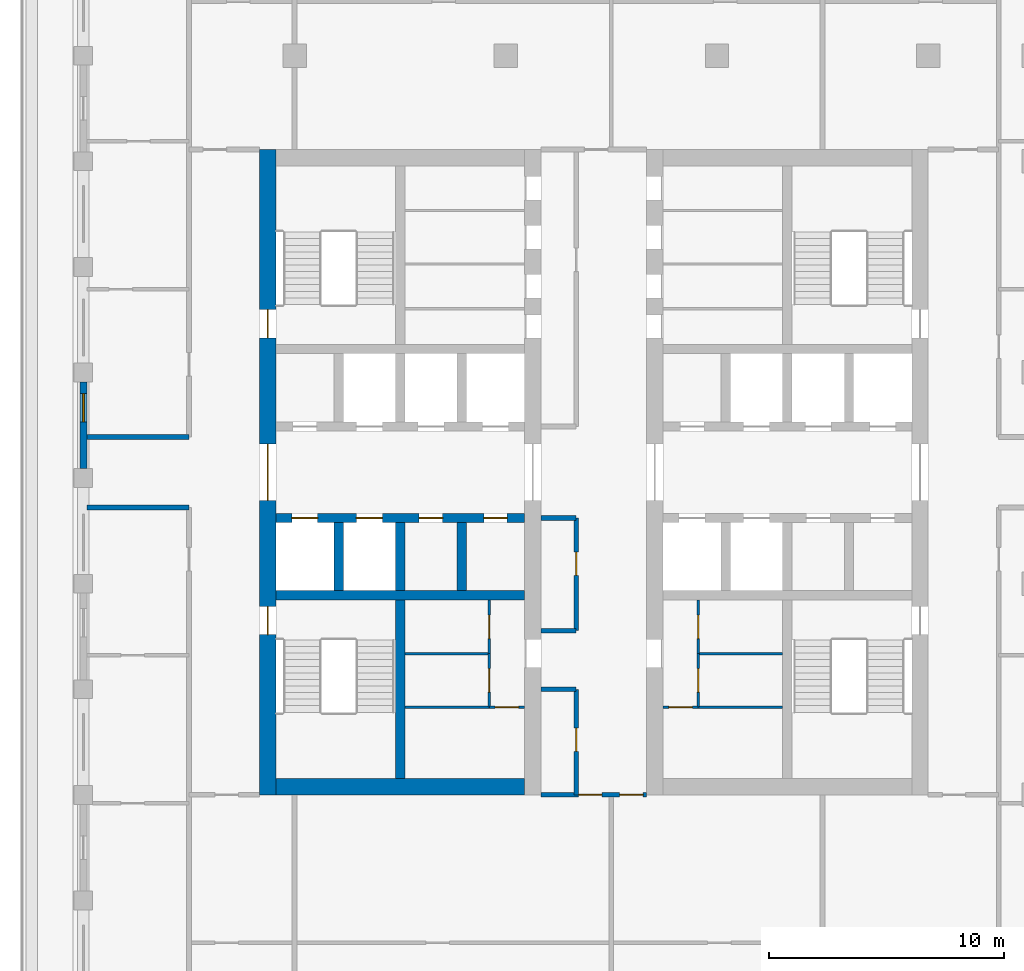
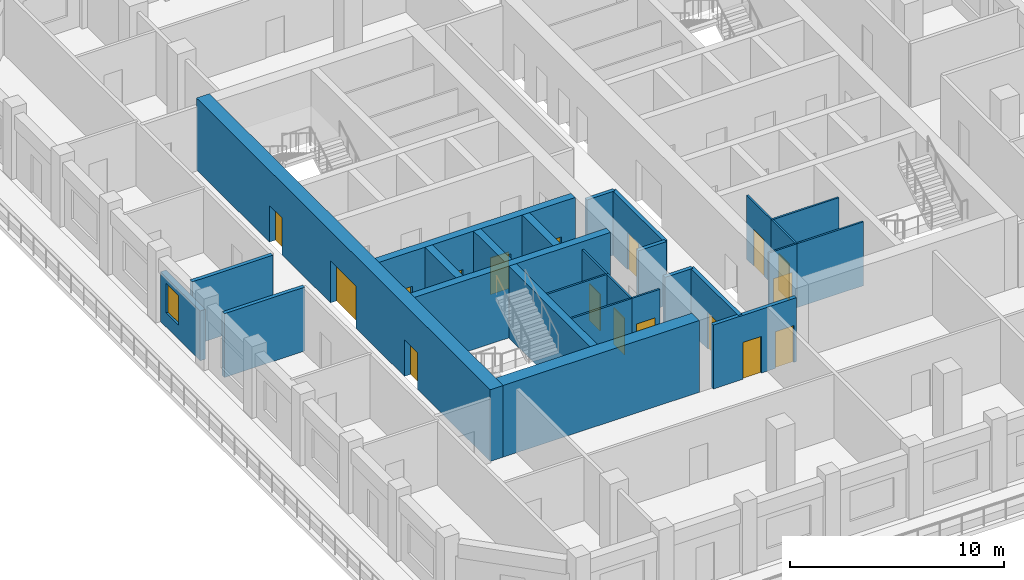
# One storey, part 3 of 17: 27 walls, 17 doors, 1 window, 18 openings.
"""IFC4 building model written with IfcOpenShell, lengths in metres."""

from ifc_helpers import new_model, si_unit, direction, frame, frame_2d, origin, place, context, subcontext, project, spatial, rectangle, extrude, material, layer, layer_set, type_object, element, fill, save


model = new_model("IFC4")

# Units and contexts
model_context = context("Model", 3, precision=1e-05, world=origin(), true_north=direction((0.0, 1.0)))
body_context = subcontext(model_context, "Body", "Model", "MODEL_VIEW")
ifc_project = project(units=[si_unit("LENGTHUNIT", "METRE"), si_unit("AREAUNIT", "SQUARE_METRE"), si_unit("VOLUMEUNIT", "CUBIC_METRE"), si_unit("PLANEANGLEUNIT", "RADIAN"), si_unit("MASSUNIT", "GRAM", prefix="KILO")], contexts=[model_context])

# Site, building, storey
site_placement = place(None, origin())
site = spatial("IfcSite", under=ifc_project, at=site_placement, CompositionType="ELEMENT")
building_placement = place(site_placement, origin())
building = spatial("IfcBuilding", under=site, at=building_placement, Name="Corbel Stack Research Tower", CompositionType="ELEMENT")
storey_placement = place(building_placement, frame((0.0, 0.0, 235.699951171875)))
storey = spatial("IfcBuildingStorey", under=building, at=storey_placement, Name="L53", CompositionType="ELEMENT", Elevation=235.699951171875)

# Wall
ifc_material_1 = material(Name="Concrete C60/75", Category="concrete")
ifc_layer_1 = layer(ifc_material_1, 0.39990234375)
ifc_layer_set_1 = layer_set([ifc_layer_1], Name="Concrete C60/75")
wall_type_1 = type_object("IfcWallType", Name="CW-400-60", PredefinedType="SHEAR", material=ifc_layer_set_1)
wall_1_placement = place(storey_placement, frame((-9.800048828125, -0.5, 0.0), z_axis=(0.0, 0.0, 1.0), x_axis=(1.0, 0.0, 0.0)))
element("IfcWall", 1, at=wall_1_placement, inside=storey, type_object=wall_type_1, Name="West core wall, south row back L53", PredefinedType="SHEAR", context=body_context, shape_type="SweptSolid", body=[
    extrude(rectangle(XDim=10.60009765625, YDim=0.39990234375, at=frame_2d((5.300048828125, 0.0))), origin(), (0.0, 0.0, 1.0), 4.10009765625),
])

# Wall, openings, doors
wall_2_placement = place(storey_placement, frame((-9.800048828125, 2.800048828125, 0.0), z_axis=(0.0, 0.0, 1.0), x_axis=(1.0, 0.0, 0.0)))
wall_2 = element("IfcWall", 2, at=wall_2_placement, inside=storey, type_object=wall_type_1, Name="West core wall, lobby south L53", PredefinedType="SHEAR", context=body_context, shape_type="SweptSolid", body=[
    extrude(rectangle(XDim=10.60009765625, YDim=0.39990234375, at=frame_2d((5.300048828125, 0.0))), origin(), (0.0, 0.0, 1.0), 4.10009765625),
])
opening_1_placement = place(wall_2_placement, frame((0.6875, 0.0, 0.0)))
opening_1 = element("IfcOpeningElement", 3, at=opening_1_placement, cuts=wall_2, Name="Opening LD-FS1", PredefinedType="OPENING", context=body_context, shape_type="SweptSolid", body=[
    extrude(rectangle(XDim=1.10009765625, YDim=2.10009765625, at=frame_2d((0.550048828125, 1.050048828125))), frame((0.0, 0.2099609375, 0.0), z_axis=(0.0, -1.0, 0.0), x_axis=(1.0, 0.0, 0.0)), (0.0, 0.0, 1.0), 0.419921875),
])
opening_2_placement = place(wall_2_placement, frame((3.4375, 0.0, 0.0)))
opening_2 = element("IfcOpeningElement", 4, at=opening_2_placement, cuts=wall_2, Name="Opening LD-GL1", PredefinedType="OPENING", context=body_context, shape_type="SweptSolid", body=[
    extrude(rectangle(XDim=1.10009765625, YDim=2.10009765625, at=frame_2d((0.550048828125, 1.050048828125))), frame((0.0, 0.2099609375, 0.0), z_axis=(0.0, -1.0, 0.0), x_axis=(1.0, 0.0, 0.0)), (0.0, 0.0, 1.0), 0.419921875),
])
opening_3_placement = place(wall_2_placement, frame((6.112548828125, 0.0, 0.0)))
opening_3 = element("IfcOpeningElement", 5, at=opening_3_placement, cuts=wall_2, Name="Opening CR-W66-S3", PredefinedType="OPENING", context=body_context, shape_type="SweptSolid", body=[
    extrude(rectangle(XDim=1.0, YDim=2.10009765625, at=frame_2d((0.5, 1.050048828125))), frame((0.0, 0.2099609375, 0.0), z_axis=(0.0, -1.0, 0.0), x_axis=(1.0, 0.0, 0.0)), (0.0, 0.0, 1.0), 0.419921875),
])
opening_4_placement = place(wall_2_placement, frame((8.862548828125, 0.0, 0.0)))
opening_4 = element("IfcOpeningElement", 6, at=opening_4_placement, cuts=wall_2, Name="Opening CR-W66-S4", PredefinedType="OPENING", context=body_context, shape_type="SweptSolid", body=[
    extrude(rectangle(XDim=1.0, YDim=2.10009765625, at=frame_2d((0.5, 1.050048828125))), frame((0.0, 0.2099609375, 0.0), z_axis=(0.0, -1.0, 0.0), x_axis=(1.0, 0.0, 0.0)), (0.0, 0.0, 1.0), 0.419921875),
])
ifc_material_2 = material(Name="Stainless steel landing door", Category="steel")
door_type_1 = type_object("IfcDoorType", Name="Lift landing door 1100 x 2100", OperationType="DOUBLE_DOOR_SLIDING", PredefinedType="DOOR", material=ifc_material_2)
door_1_placement = place(opening_1_placement, origin())
door_1 = element("IfcDoor", 7, at=door_1_placement, inside=storey, type_object=door_type_1, Name="Landing door FS1", OperationType="DOUBLE_DOOR_SLIDING", OverallHeight=2.10009765625, OverallWidth=1.10009765625, PredefinedType="DOOR", context=body_context, shape_type="SweptSolid", body=[
    extrude(rectangle(XDim=1.10009765625, YDim=2.10009765625, at=frame_2d((0.550048828125, 1.050048828125))), frame((0.0, 0.02490234375, 0.0), z_axis=(0.0, -1.0, 0.0), x_axis=(1.0, 0.0, 0.0)), (0.0, 0.0, 1.0), 0.050048828125),
])
fill(opening_1, door_1)
door_2_placement = place(opening_2_placement, origin())
door_2 = element("IfcDoor", 8, at=door_2_placement, inside=storey, type_object=door_type_1, Name="Landing door GL1", OperationType="DOUBLE_DOOR_SLIDING", OverallHeight=2.10009765625, OverallWidth=1.10009765625, PredefinedType="DOOR", context=body_context, shape_type="SweptSolid", body=[
    extrude(rectangle(XDim=1.10009765625, YDim=2.10009765625, at=frame_2d((0.550048828125, 1.050048828125))), frame((0.0, 0.02490234375, 0.0), z_axis=(0.0, -1.0, 0.0), x_axis=(1.0, 0.0, 0.0)), (0.0, 0.0, 1.0), 0.050048828125),
])
fill(opening_2, door_2)
ifc_material_3 = material(Name="Painted steel door", Category="steel")
door_type_2 = type_object("IfcDoorType", Name="Service door 1000 x 2100 FD60 left hand", OperationType="SINGLE_SWING_LEFT", PredefinedType="DOOR", material=ifc_material_3)
door_3_placement = place(opening_3_placement, origin())
door_3 = element("IfcDoor", 9, at=door_3_placement, inside=storey, type_object=door_type_2, Name="Cleaner's store door W core", OperationType="SINGLE_SWING_LEFT", OverallHeight=2.10009765625, OverallWidth=1.0, PredefinedType="DOOR", context=body_context, shape_type="SweptSolid", body=[
    extrude(rectangle(XDim=1.0, YDim=2.10009765625, at=frame_2d((0.5, 1.050048828125))), frame((0.0, 0.02490234375, 0.0), z_axis=(0.0, -1.0, 0.0), x_axis=(1.0, 0.0, 0.0)), (0.0, 0.0, 1.0), 0.050048828125),
])
fill(opening_3, door_3)
ifc_material_4 = material(Name="Painted steel door", Category="steel")
door_type_3 = type_object("IfcDoorType", Name="Service door 1000 x 2100 FD60 right hand", OperationType="SINGLE_SWING_RIGHT", PredefinedType="DOOR", material=ifc_material_4)
door_4_placement = place(opening_4_placement, origin())
door_4 = element("IfcDoor", 10, at=door_4_placement, inside=storey, type_object=door_type_3, Name="Vending bay door W core", OperationType="SINGLE_SWING_RIGHT", OverallHeight=2.10009765625, OverallWidth=1.0, PredefinedType="DOOR", context=body_context, shape_type="SweptSolid", body=[
    extrude(rectangle(XDim=1.0, YDim=2.10009765625, at=frame_2d((0.5, 1.050048828125))), frame((0.0, 0.02490234375, 0.0), z_axis=(0.0, -1.0, 0.0), x_axis=(1.0, 0.0, 0.0)), (0.0, 0.0, 1.0), 0.050048828125),
])
fill(opening_4, door_4)

# Walls
for number, where, z_axis, x_axis, name in (
    (11, (-7.125, -0.300048828125, 0.0), (0.0, 0.0, 1.0), (0.0, 1.0, 0.0), "West core wall, south shaft 1 L53"),
    (12, (-4.5, -0.300048828125, 0.0), (0.0, 0.0, 1.0), (0.0, 1.0, 0.0), "West core wall, south shaft 2 L53"),
    (13, (-1.875, -0.300048828125, 0.0), (0.0, 0.0, 1.0), (0.0, 1.0, 0.0), "West core wall, south shaft 3 L53"),
):
    element("IfcWall", number, at=place(storey_placement, frame(where, z_axis=z_axis, x_axis=x_axis)), inside=storey, type_object=wall_type_1, Name=name, PredefinedType="SHEAR", context=body_context, shape_type="SweptSolid", body=[
        extrude(rectangle(XDim=2.900146484375, YDim=0.39990234375, at=frame_2d((1.4501953125, 0.0))), origin(), (0.0, 0.0, 1.0), 4.10009765625),
    ])
wall_3_placement = place(storey_placement, frame((-4.5, -8.300048828125, 0.0), z_axis=(0.0, 0.0, 1.0), x_axis=(0.0, 1.0, 0.0)))
element("IfcWall", 14, at=wall_3_placement, inside=storey, type_object=wall_type_1, Name="West core wall, south stair and WC L53", PredefinedType="SHEAR", context=body_context, shape_type="SweptSolid", body=[
    extrude(rectangle(XDim=7.60009765625, YDim=0.39990234375, at=frame_2d((3.800048828125, 0.0))), origin(), (0.0, 0.0, 1.0), 4.10009765625),
])

# Wall, openings, doors
ifc_material_5 = material(Name="Concrete C60/75", Category="concrete")
ifc_layer_2 = layer(ifc_material_5, 0.699951171875)
ifc_layer_set_2 = layer_set([ifc_layer_2], Name="Concrete C60/75")
wall_type_2 = type_object("IfcWallType", Name="CW-700-60", PredefinedType="SHEAR", material=ifc_layer_set_2)
wall_4_placement = place(storey_placement, frame((-10.14990234375, -9.0, 0.0), z_axis=(0.0, 0.0, 1.0), x_axis=(0.0, 1.0, 0.0)))
wall_4 = element("IfcWall", 15, at=wall_4_placement, inside=storey, type_object=wall_type_2, Name="West core wall, west face L53", PredefinedType="SHEAR", context=body_context, shape_type="SweptSolid", body=[
    extrude(rectangle(XDim=27.5, YDim=0.699951171875, at=frame_2d((13.75, 0.0))), origin(), (0.0, 0.0, 1.0), 4.10009765625),
])
opening_5_placement = place(wall_4_placement, frame((12.550048828125, 0.0, 0.0)))
opening_5 = element("IfcOpeningElement", 16, at=opening_5_placement, cuts=wall_4, Name="Opening CD-W-W", PredefinedType="OPENING", context=body_context, shape_type="SweptSolid", body=[
    extrude(rectangle(XDim=2.39990234375, YDim=2.39990234375, at=frame_2d((1.199951171875, 1.199951171875))), frame((0.0, 0.35986328125, 0.0), z_axis=(0.0, -1.0, 0.0), x_axis=(1.0, 0.0, 0.0)), (0.0, 0.0, 1.0), 0.719970703125),
])
opening_6_placement = place(wall_4_placement, frame((6.824951171875, 0.0, 0.0)))
opening_6 = element("IfcOpeningElement", 17, at=opening_6_placement, cuts=wall_4, Name="Opening SD-ST-W1", PredefinedType="OPENING", context=body_context, shape_type="SweptSolid", body=[
    extrude(rectangle(XDim=1.199951171875, YDim=2.10009765625, at=frame_2d((0.60009765625, 1.050048828125))), frame((0.0, 0.35986328125, 0.0), z_axis=(0.0, -1.0, 0.0), x_axis=(1.0, 0.0, 0.0)), (0.0, 0.0, 1.0), 0.719970703125),
])
opening_7_placement = place(wall_4_placement, frame((19.47509765625, 0.0, 0.0)))
opening_7 = element("IfcOpeningElement", 18, at=opening_7_placement, cuts=wall_4, Name="Opening SD-ST-W2", PredefinedType="OPENING", context=body_context, shape_type="SweptSolid", body=[
    extrude(rectangle(XDim=1.199951171875, YDim=2.10009765625, at=frame_2d((0.60009765625, 1.050048828125))), frame((0.0, 0.35986328125, 0.0), z_axis=(0.0, -1.0, 0.0), x_axis=(1.0, 0.0, 0.0)), (0.0, 0.0, 1.0), 0.719970703125),
])
ifc_material_6 = material(Name="Painted steel fire door", Category="steel")
door_type_4 = type_object("IfcDoorType", Name="Lobby door pair 2400 x 2400 FD30S", OperationType="DOUBLE_DOOR_DOUBLE_SWING", PredefinedType="DOOR", material=ifc_material_6)
door_5_placement = place(opening_5_placement, origin())
door_5 = element("IfcDoor", 19, at=door_5_placement, inside=storey, type_object=door_type_4, Name="Lift lobby door W core W", OperationType="DOUBLE_DOOR_DOUBLE_SWING", OverallHeight=2.39990234375, OverallWidth=2.39990234375, PredefinedType="DOOR", context=body_context, shape_type="SweptSolid", body=[
    extrude(rectangle(XDim=2.39990234375, YDim=2.39990234375, at=frame_2d((1.199951171875, 1.199951171875))), frame((0.0, 0.02490234375, 0.0), z_axis=(0.0, -1.0, 0.0), x_axis=(1.0, 0.0, 0.0)), (0.0, 0.0, 1.0), 0.050048828125),
])
fill(opening_5, door_5)
ifc_material_7 = material(Name="Painted steel fire door", Category="steel")
door_type_5 = type_object("IfcDoorType", Name="Stair door 1200 x 2100 FD90 left hand", OperationType="SINGLE_SWING_LEFT", PredefinedType="DOOR", material=ifc_material_7)
door_6_placement = place(opening_6_placement, origin())
door_6 = element("IfcDoor", 20, at=door_6_placement, inside=storey, type_object=door_type_5, Name="Stair door ST-W1", OperationType="SINGLE_SWING_LEFT", OverallHeight=2.10009765625, OverallWidth=1.199951171875, PredefinedType="DOOR", context=body_context, shape_type="SweptSolid", body=[
    extrude(rectangle(XDim=1.199951171875, YDim=2.10009765625, at=frame_2d((0.60009765625, 1.050048828125))), frame((0.0, 0.02490234375, 0.0), z_axis=(0.0, -1.0, 0.0), x_axis=(1.0, 0.0, 0.0)), (0.0, 0.0, 1.0), 0.050048828125),
])
fill(opening_6, door_6)
door_7_placement = place(opening_7_placement, origin())
door_7 = element("IfcDoor", 21, at=door_7_placement, inside=storey, type_object=door_type_5, Name="Stair door ST-W2", OperationType="SINGLE_SWING_LEFT", OverallHeight=2.10009765625, OverallWidth=1.199951171875, PredefinedType="DOOR", context=body_context, shape_type="SweptSolid", body=[
    extrude(rectangle(XDim=1.199951171875, YDim=2.10009765625, at=frame_2d((0.60009765625, 1.050048828125))), frame((0.0, 0.02490234375, 0.0), z_axis=(0.0, -1.0, 0.0), x_axis=(1.0, 0.0, 0.0)), (0.0, 0.0, 1.0), 0.050048828125),
])
fill(opening_7, door_7)

# Wall
wall_5_placement = place(storey_placement, frame((-9.800048828125, -8.64990234375, 0.0), z_axis=(0.0, 0.0, 1.0), x_axis=(1.0, 0.0, 0.0)))
element("IfcWall", 22, at=wall_5_placement, inside=storey, type_object=wall_type_2, Name="West core wall, south end L53", PredefinedType="SHEAR", context=body_context, shape_type="SweptSolid", body=[
    extrude(rectangle(XDim=10.60009765625, YDim=0.699951171875, at=frame_2d((5.300048828125, 0.0))), origin(), (0.0, 0.0, 1.0), 4.10009765625),
])

# Wall, opening, door
ifc_material_8 = material(Name="Gypsum board")
ifc_layer_3 = layer(ifc_material_8, 0.10009765625)
ifc_layer_set_3 = layer_set([ifc_layer_3], Name="Gypsum board")
wall_type_3 = type_object("IfcWallType", Name="Core partition 100", PredefinedType="PARTITIONING", material=ifc_layer_set_3)
wall_6_placement = place(storey_placement, frame((-0.699951171875, -5.260009765625, 0.0), z_axis=(0.0, 0.0, 1.0), x_axis=(1.0, 0.0, 0.0)))
wall_6 = element("IfcWall", 23, at=wall_6_placement, inside=storey, type_object=wall_type_3, Name="Core partition W", PredefinedType="PARTITIONING", context=body_context, shape_type="SweptSolid", body=[
    extrude(rectangle(XDim=1.5, YDim=0.10009765625, at=frame_2d((0.75, 0.0))), origin(), (0.0, 0.0, 1.0), 3.650146484375),
])
opening_8_placement = place(wall_6_placement, frame((0.25, 0.0, 0.0)))
opening_8 = element("IfcOpeningElement", 24, at=opening_8_placement, cuts=wall_6, Name="Opening CR-W66-W2-1000", PredefinedType="OPENING", context=body_context, shape_type="SweptSolid", body=[
    extrude(rectangle(XDim=1.0, YDim=2.10009765625, at=frame_2d((0.5, 1.050048828125))), frame((0.0, 0.06005859375, 0.0), z_axis=(0.0, -1.0, 0.0), x_axis=(1.0, 0.0, 0.0)), (0.0, 0.0, 1.0), 0.1201171875),
])
ifc_material_9 = material(Name="Painted timber door", Category="wood")
door_type_6 = type_object("IfcDoorType", Name="WC door 1000 x 2100 right hand", OperationType="SINGLE_SWING_RIGHT", PredefinedType="DOOR", material=ifc_material_9)
door_8_placement = place(opening_8_placement, origin())
door_8 = element("IfcDoor", 25, at=door_8_placement, inside=storey, type_object=door_type_6, Name="Accessible WC door W core", OperationType="SINGLE_SWING_RIGHT", OverallHeight=2.10009765625, OverallWidth=1.0, PredefinedType="DOOR", context=body_context, shape_type="SweptSolid", body=[
    extrude(rectangle(XDim=1.0, YDim=2.10009765625, at=frame_2d((0.5, 1.050048828125))), frame((0.0, 0.02490234375, 0.0), z_axis=(0.0, -1.0, 0.0), x_axis=(1.0, 0.0, 0.0)), (0.0, 0.0, 1.0), 0.050048828125),
])
fill(opening_8, door_8)

wall_7_placement = place(storey_placement, frame((-0.699951171875, -5.260009765625, 0.0), z_axis=(0.0, 0.0, 1.0), x_axis=(0.0, 1.0, 0.0)))
wall_7 = element("IfcWall", 26, at=wall_7_placement, inside=storey, type_object=wall_type_3, Name="Core partition W", PredefinedType="PARTITIONING", context=body_context, shape_type="SweptSolid", body=[
    extrude(rectangle(XDim=2.280029296875, YDim=0.10009765625, at=frame_2d((1.14013671875, 0.0))), origin(), (0.0, 0.0, 1.0), 3.650146484375),
])
opening_9_placement = place(wall_7_placement, frame((0.639892578125, 0.0, 0.0)))
opening_9 = element("IfcOpeningElement", 27, at=opening_9_placement, cuts=wall_7, Name="Opening CR-W66-W3-1000", PredefinedType="OPENING", context=body_context, shape_type="SweptSolid", body=[
    extrude(rectangle(XDim=1.0, YDim=2.10009765625, at=frame_2d((0.5, 1.050048828125))), frame((0.0, 0.06005859375, 0.0), z_axis=(0.0, -1.0, 0.0), x_axis=(1.0, 0.0, 0.0)), (0.0, 0.0, 1.0), 0.1201171875),
])
ifc_material_10 = material(Name="Painted timber door", Category="wood")
door_type_7 = type_object("IfcDoorType", Name="WC door 1000 x 2100 left hand", OperationType="SINGLE_SWING_LEFT", PredefinedType="DOOR", material=ifc_material_10)
door_9_placement = place(opening_9_placement, origin())
door_9 = element("IfcDoor", 28, at=door_9_placement, inside=storey, type_object=door_type_7, Name="Men's WC door W core", OperationType="SINGLE_SWING_LEFT", OverallHeight=2.10009765625, OverallWidth=1.0, PredefinedType="DOOR", context=body_context, shape_type="SweptSolid", body=[
    extrude(rectangle(XDim=1.0, YDim=2.10009765625, at=frame_2d((0.5, 1.050048828125))), frame((0.0, 0.02490234375, 0.0), z_axis=(0.0, -1.0, 0.0), x_axis=(1.0, 0.0, 0.0)), (0.0, 0.0, 1.0), 0.050048828125),
])
fill(opening_9, door_9)

wall_8_placement = place(storey_placement, frame((-0.699951171875, -2.97998046875, 0.0), z_axis=(0.0, 0.0, 1.0), x_axis=(0.0, 1.0, 0.0)))
wall_8 = element("IfcWall", 29, at=wall_8_placement, inside=storey, type_object=wall_type_3, Name="Core partition W", PredefinedType="PARTITIONING", context=body_context, shape_type="SweptSolid", body=[
    extrude(rectangle(XDim=2.280029296875, YDim=0.10009765625, at=frame_2d((1.14013671875, 0.0))), origin(), (0.0, 0.0, 1.0), 3.650146484375),
])
opening_10_placement = place(wall_8_placement, frame((0.639892578125, 0.0, 0.0)))
opening_10 = element("IfcOpeningElement", 30, at=opening_10_placement, cuts=wall_8, Name="Opening CR-W66-W4-1000", PredefinedType="OPENING", context=body_context, shape_type="SweptSolid", body=[
    extrude(rectangle(XDim=1.0, YDim=2.10009765625, at=frame_2d((0.5, 1.050048828125))), frame((0.0, 0.06005859375, 0.0), z_axis=(0.0, -1.0, 0.0), x_axis=(1.0, 0.0, 0.0)), (0.0, 0.0, 1.0), 0.1201171875),
])
door_10_placement = place(opening_10_placement, origin())
door_10 = element("IfcDoor", 31, at=door_10_placement, inside=storey, type_object=door_type_6, Name="Women's WC door W core", OperationType="SINGLE_SWING_RIGHT", OverallHeight=2.10009765625, OverallWidth=1.0, PredefinedType="DOOR", context=body_context, shape_type="SweptSolid", body=[
    extrude(rectangle(XDim=1.0, YDim=2.10009765625, at=frame_2d((0.5, 1.050048828125))), frame((0.0, 0.02490234375, 0.0), z_axis=(0.0, -1.0, 0.0), x_axis=(1.0, 0.0, 0.0)), (0.0, 0.0, 1.0), 0.050048828125),
])
fill(opening_10, door_10)

# Walls
for number, where, z_axis, x_axis, name in (
    (32, (-4.300048828125, -5.260009765625, 0.0), (0.0, 0.0, 1.0), (1.0, 0.0, 0.0), "Core partition W"),
    (33, (-4.300048828125, -2.97998046875, 0.0), (0.0, 0.0, 1.0), (1.0, 0.0, 0.0), "Core partition W"),
):
    element("IfcWall", number, at=place(storey_placement, frame(where, z_axis=z_axis, x_axis=x_axis)), inside=storey, type_object=wall_type_3, Name=name, PredefinedType="PARTITIONING", context=body_context, shape_type="SweptSolid", body=[
        extrude(rectangle(XDim=3.60009765625, YDim=0.10009765625, at=frame_2d((1.800048828125, 0.0))), origin(), (0.0, 0.0, 1.0), 3.650146484375),
    ])

# Wall, opening, door
wall_9_placement = place(storey_placement, frame((6.699951171875, -5.260009765625, 0.0), z_axis=(0.0, 0.0, 1.0), x_axis=(1.0, 0.0, 0.0)))
wall_9 = element("IfcWall", 34, at=wall_9_placement, inside=storey, type_object=wall_type_3, Name="Core partition E", PredefinedType="PARTITIONING", context=body_context, shape_type="SweptSolid", body=[
    extrude(rectangle(XDim=1.5, YDim=0.10009765625, at=frame_2d((0.75, 0.0))), origin(), (0.0, 0.0, 1.0), 3.650146484375),
])
opening_11_placement = place(wall_9_placement, frame((0.25, 0.0, 0.0)))
opening_11 = element("IfcOpeningElement", 35, at=opening_11_placement, cuts=wall_9, Name="Opening CR-E66-W2-1000", PredefinedType="OPENING", context=body_context, shape_type="SweptSolid", body=[
    extrude(rectangle(XDim=1.0, YDim=2.10009765625, at=frame_2d((0.5, 1.050048828125))), frame((0.0, 0.06005859375, 0.0), z_axis=(0.0, -1.0, 0.0), x_axis=(1.0, 0.0, 0.0)), (0.0, 0.0, 1.0), 0.1201171875),
])
door_11_placement = place(opening_11_placement, origin())
door_11 = element("IfcDoor", 36, at=door_11_placement, inside=storey, type_object=door_type_7, Name="Accessible WC door E core", OperationType="SINGLE_SWING_LEFT", OverallHeight=2.10009765625, OverallWidth=1.0, PredefinedType="DOOR", context=body_context, shape_type="SweptSolid", body=[
    extrude(rectangle(XDim=1.0, YDim=2.10009765625, at=frame_2d((0.5, 1.050048828125))), frame((0.0, 0.02490234375, 0.0), z_axis=(0.0, -1.0, 0.0), x_axis=(1.0, 0.0, 0.0)), (0.0, 0.0, 1.0), 0.050048828125),
])
fill(opening_11, door_11)

wall_10_placement = place(storey_placement, frame((8.199951171875, -5.260009765625, 0.0), z_axis=(0.0, 0.0, 1.0), x_axis=(0.0, 1.0, 0.0)))
wall_10 = element("IfcWall", 37, at=wall_10_placement, inside=storey, type_object=wall_type_3, Name="Core partition E", PredefinedType="PARTITIONING", context=body_context, shape_type="SweptSolid", body=[
    extrude(rectangle(XDim=2.280029296875, YDim=0.10009765625, at=frame_2d((1.14013671875, 0.0))), origin(), (0.0, 0.0, 1.0), 3.650146484375),
])
opening_12_placement = place(wall_10_placement, frame((0.639892578125, 0.0, 0.0)))
opening_12 = element("IfcOpeningElement", 38, at=opening_12_placement, cuts=wall_10, Name="Opening CR-E66-W3-1000", PredefinedType="OPENING", context=body_context, shape_type="SweptSolid", body=[
    extrude(rectangle(XDim=1.0, YDim=2.10009765625, at=frame_2d((0.5, 1.050048828125))), frame((0.0, 0.06005859375, 0.0), z_axis=(0.0, -1.0, 0.0), x_axis=(1.0, 0.0, 0.0)), (0.0, 0.0, 1.0), 0.1201171875),
])
door_12_placement = place(opening_12_placement, origin())
door_12 = element("IfcDoor", 39, at=door_12_placement, inside=storey, type_object=door_type_6, Name="Men's WC door E core", OperationType="SINGLE_SWING_RIGHT", OverallHeight=2.10009765625, OverallWidth=1.0, PredefinedType="DOOR", context=body_context, shape_type="SweptSolid", body=[
    extrude(rectangle(XDim=1.0, YDim=2.10009765625, at=frame_2d((0.5, 1.050048828125))), frame((0.0, 0.02490234375, 0.0), z_axis=(0.0, -1.0, 0.0), x_axis=(1.0, 0.0, 0.0)), (0.0, 0.0, 1.0), 0.050048828125),
])
fill(opening_12, door_12)

wall_11_placement = place(storey_placement, frame((8.199951171875, -2.97998046875, 0.0), z_axis=(0.0, 0.0, 1.0), x_axis=(0.0, 1.0, 0.0)))
wall_11 = element("IfcWall", 40, at=wall_11_placement, inside=storey, type_object=wall_type_3, Name="Core partition E", PredefinedType="PARTITIONING", context=body_context, shape_type="SweptSolid", body=[
    extrude(rectangle(XDim=2.280029296875, YDim=0.10009765625, at=frame_2d((1.14013671875, 0.0))), origin(), (0.0, 0.0, 1.0), 3.650146484375),
])
opening_13_placement = place(wall_11_placement, frame((0.639892578125, 0.0, 0.0)))
opening_13 = element("IfcOpeningElement", 41, at=opening_13_placement, cuts=wall_11, Name="Opening CR-E66-W4-1000", PredefinedType="OPENING", context=body_context, shape_type="SweptSolid", body=[
    extrude(rectangle(XDim=1.0, YDim=2.10009765625, at=frame_2d((0.5, 1.050048828125))), frame((0.0, 0.06005859375, 0.0), z_axis=(0.0, -1.0, 0.0), x_axis=(1.0, 0.0, 0.0)), (0.0, 0.0, 1.0), 0.1201171875),
])
door_13_placement = place(opening_13_placement, origin())
door_13 = element("IfcDoor", 42, at=door_13_placement, inside=storey, type_object=door_type_7, Name="Women's WC door E core", OperationType="SINGLE_SWING_LEFT", OverallHeight=2.10009765625, OverallWidth=1.0, PredefinedType="DOOR", context=body_context, shape_type="SweptSolid", body=[
    extrude(rectangle(XDim=1.0, YDim=2.10009765625, at=frame_2d((0.5, 1.050048828125))), frame((0.0, 0.02490234375, 0.0), z_axis=(0.0, -1.0, 0.0), x_axis=(1.0, 0.0, 0.0)), (0.0, 0.0, 1.0), 0.050048828125),
])
fill(opening_13, door_13)

# Walls
for number, where, z_axis, x_axis, name in (
    (43, (8.199951171875, -5.260009765625, 0.0), (0.0, 0.0, 1.0), (1.0, 0.0, 0.0), "Core partition E"),
    (44, (8.199951171875, -2.97998046875, 0.0), (0.0, 0.0, 1.0), (1.0, 0.0, 0.0), "Core partition E"),
):
    element("IfcWall", number, at=place(storey_placement, frame(where, z_axis=z_axis, x_axis=x_axis)), inside=storey, type_object=wall_type_3, Name=name, PredefinedType="PARTITIONING", context=body_context, shape_type="SweptSolid", body=[
        extrude(rectangle(XDim=3.60009765625, YDim=0.10009765625, at=frame_2d((1.800048828125, 0.0))), origin(), (0.0, 0.0, 1.0), 3.650146484375),
    ])

# Wall, opening, door
ifc_material_11 = material(Name="Fire-rated gypsum board partition on steel studs", Category="steel")
ifc_layer_4 = layer(ifc_material_11, 0.199951171875)
ifc_layer_set_4 = layer_set([ifc_layer_4], Name="Fire-rated gypsum board partition on steel studs")
wall_type_4 = type_object("IfcWallType", Name="Fire-rated partition 200 EI 60", PredefinedType="PARTITIONING", material=ifc_layer_set_4)
wall_12_placement = place(storey_placement, frame((3.0, -9.0, 0.0), z_axis=(0.0, 0.0, 1.0), x_axis=(0.0, 1.0, 0.0)))
wall_12 = element("IfcWall", 45, at=wall_12_placement, inside=storey, type_object=wall_type_4, Name="Partition L53-008", PredefinedType="PARTITIONING", context=body_context, shape_type="SweptSolid", body=[
    extrude(rectangle(XDim=4.5, YDim=0.199951171875, at=frame_2d((2.25, 0.0))), origin(), (0.0, 0.0, 1.0), 3.650146484375),
])
opening_14_placement = place(wall_12_placement, frame((1.85009765625, 0.0, 0.0)))
opening_14 = element("IfcOpeningElement", 46, at=opening_14_placement, cuts=wall_12, Name="Opening B7V0-015", PredefinedType="OPENING", context=body_context, shape_type="SweptSolid", body=[
    extrude(rectangle(XDim=1.0, YDim=2.10009765625, at=frame_2d((0.5, 1.050048828125))), frame((0.0, 0.10986328125, 0.0), z_axis=(0.0, -1.0, 0.0), x_axis=(1.0, 0.0, 0.0)), (0.0, 0.0, 1.0), 0.219970703125),
])
ifc_material_12 = material(Name="Painted steel fire door", Category="steel")
door_type_8 = type_object("IfcDoorType", Name="Fire door FD30S 1000 x 2100", OperationType="NOTDEFINED", PredefinedType="DOOR", material=ifc_material_12)
door_14_placement = place(opening_14_placement, origin())
door_14 = element("IfcDoor", 47, at=door_14_placement, inside=storey, type_object=door_type_8, Name="Door B7V0-015", OperationType="SINGLE_SWING_RIGHT", OverallHeight=2.10009765625, OverallWidth=1.0, PredefinedType="DOOR", context=body_context, shape_type="SweptSolid", body=[
    extrude(rectangle(XDim=1.0, YDim=2.10009765625, at=frame_2d((0.5, 1.050048828125))), frame((0.0, 0.02490234375, 0.0), z_axis=(0.0, -1.0, 0.0), x_axis=(1.0, 0.0, 0.0)), (0.0, 0.0, 1.0), 0.050048828125),
])
fill(opening_14, door_14)

wall_13_placement = place(storey_placement, frame((3.0, -2.0, 0.0), z_axis=(0.0, 0.0, 1.0), x_axis=(0.0, 1.0, 0.0)))
wall_13 = element("IfcWall", 48, at=wall_13_placement, inside=storey, type_object=wall_type_4, Name="Partition L53-009", PredefinedType="PARTITIONING", context=body_context, shape_type="SweptSolid", body=[
    extrude(rectangle(XDim=4.800048828125, YDim=0.199951171875, at=frame_2d((2.39990234375, 0.0))), origin(), (0.0, 0.0, 1.0), 3.650146484375),
])
opening_15_placement = place(wall_13_placement, frame((2.35009765625, 0.0, 0.0)))
opening_15 = element("IfcOpeningElement", 49, at=opening_15_placement, cuts=wall_13, Name="Opening B7V0-016", PredefinedType="OPENING", context=body_context, shape_type="SweptSolid", body=[
    extrude(rectangle(XDim=1.0, YDim=2.10009765625, at=frame_2d((0.5, 1.050048828125))), frame((0.0, 0.10986328125, 0.0), z_axis=(0.0, -1.0, 0.0), x_axis=(1.0, 0.0, 0.0)), (0.0, 0.0, 1.0), 0.219970703125),
])
door_15_placement = place(opening_15_placement, origin())
door_15 = element("IfcDoor", 50, at=door_15_placement, inside=storey, type_object=door_type_8, Name="Door B7V0-016", OperationType="SINGLE_SWING_RIGHT", OverallHeight=2.10009765625, OverallWidth=1.0, PredefinedType="DOOR", context=body_context, shape_type="SweptSolid", body=[
    extrude(rectangle(XDim=1.0, YDim=2.10009765625, at=frame_2d((0.5, 1.050048828125))), frame((0.0, 0.02490234375, 0.0), z_axis=(0.0, -1.0, 0.0), x_axis=(1.0, 0.0, 0.0)), (0.0, 0.0, 1.0), 0.050048828125),
])
fill(opening_15, door_15)

# Wall, openings, doors
wall_14_placement = place(storey_placement, frame((6.0, -9.0, 0.0), z_axis=(0.0, 0.0, 1.0), x_axis=(-1.0, 0.0, 0.0)))
wall_14 = element("IfcWall", 51, at=wall_14_placement, inside=storey, type_object=wall_type_4, Name="Partition L53-022", PredefinedType="PARTITIONING", context=body_context, shape_type="SweptSolid", body=[
    extrude(rectangle(XDim=4.5, YDim=0.199951171875, at=frame_2d((2.25, 0.0))), origin(), (0.0, 0.0, 1.0), 3.650146484375),
])
opening_16_placement = place(wall_14_placement, frame((1.89990234375, 0.0, 0.0)))
opening_16 = element("IfcOpeningElement", 52, at=opening_16_placement, cuts=wall_14, Name="Opening B7V0-010", PredefinedType="OPENING", context=body_context, shape_type="SweptSolid", body=[
    extrude(rectangle(XDim=1.0, YDim=2.10009765625, at=frame_2d((0.5, 1.050048828125))), frame((0.0, 0.10986328125, 0.0), z_axis=(0.0, -1.0, 0.0), x_axis=(1.0, 0.0, 0.0)), (0.0, 0.0, 1.0), 0.219970703125),
])
opening_17_placement = place(wall_14_placement, frame((0.14990234375, 0.0, 0.0)))
opening_17 = element("IfcOpeningElement", 53, at=opening_17_placement, cuts=wall_14, Name="Opening B7V0-011", PredefinedType="OPENING", context=body_context, shape_type="SweptSolid", body=[
    extrude(rectangle(XDim=1.0, YDim=2.10009765625, at=frame_2d((0.5, 1.050048828125))), frame((0.0, 0.10986328125, 0.0), z_axis=(0.0, -1.0, 0.0), x_axis=(1.0, 0.0, 0.0)), (0.0, 0.0, 1.0), 0.219970703125),
])
door_16_placement = place(opening_16_placement, origin())
door_16 = element("IfcDoor", 54, at=door_16_placement, inside=storey, type_object=door_type_8, Name="Door B7V0-010", OperationType="SINGLE_SWING_RIGHT", OverallHeight=2.10009765625, OverallWidth=1.0, PredefinedType="DOOR", context=body_context, shape_type="SweptSolid", body=[
    extrude(rectangle(XDim=1.0, YDim=2.10009765625, at=frame_2d((0.5, 1.050048828125))), frame((0.0, 0.02490234375, 0.0), z_axis=(0.0, -1.0, 0.0), x_axis=(1.0, 0.0, 0.0)), (0.0, 0.0, 1.0), 0.050048828125),
])
fill(opening_16, door_16)
door_17_placement = place(opening_17_placement, origin())
door_17 = element("IfcDoor", 55, at=door_17_placement, inside=storey, type_object=door_type_8, Name="Door B7V0-011", OperationType="SINGLE_SWING_LEFT", OverallHeight=2.10009765625, OverallWidth=1.0, PredefinedType="DOOR", context=body_context, shape_type="SweptSolid", body=[
    extrude(rectangle(XDim=1.0, YDim=2.10009765625, at=frame_2d((0.5, 1.050048828125))), frame((0.0, 0.02490234375, 0.0), z_axis=(0.0, -1.0, 0.0), x_axis=(1.0, 0.0, 0.0)), (0.0, 0.0, 1.0), 0.050048828125),
])
fill(opening_17, door_17)

# Walls
for number, where, z_axis, x_axis, name in (
    (56, (1.5, -4.5, 0.0), (0.0, 0.0, 1.0), (1.0, 0.0, 0.0), "Partition L53-024"),
    (57, (1.5, -2.0, 0.0), (0.0, 0.0, 1.0), (1.0, 0.0, 0.0), "Partition L53-027"),
    (58, (1.5, 2.800048828125, 0.0), (0.0, 0.0, 1.0), (1.0, 0.0, 0.0), "Partition L53-028"),
):
    element("IfcWall", number, at=place(storey_placement, frame(where, z_axis=z_axis, x_axis=x_axis)), inside=storey, type_object=wall_type_4, Name=name, PredefinedType="PARTITIONING", context=body_context, shape_type="SweptSolid", body=[
        extrude(rectangle(XDim=1.5, YDim=0.199951171875, at=frame_2d((0.75, 0.0))), origin(), (0.0, 0.0, 1.0), 3.650146484375),
    ])
for number, where, z_axis, x_axis, name in (
    (59, (-17.85009765625, 3.25, 0.0), (0.0, 0.0, 1.0), (1.0, 0.0, 0.0), "Partition L53-029"),
    (60, (-17.85009765625, 6.25, 0.0), (0.0, 0.0, 1.0), (1.0, 0.0, 0.0), "Partition L53-031"),
):
    element("IfcWall", number, at=place(storey_placement, frame(where, z_axis=z_axis, x_axis=x_axis)), inside=storey, type_object=wall_type_4, Name=name, PredefinedType="PARTITIONING", context=body_context, shape_type="SweptSolid", body=[
        extrude(rectangle(XDim=4.35009765625, YDim=0.199951171875, at=frame_2d((2.175048828125, 0.0))), origin(), (0.0, 0.0, 1.0), 3.650146484375),
    ])

# Wall, opening, window
ifc_material_13 = material(Name="Concrete C45/55", Category="concrete")
ifc_layer_5 = layer(ifc_material_13, 0.300048828125)
ifc_layer_set_5 = layer_set([ifc_layer_5], Name="Concrete C45/55")
wall_type_5 = type_object("IfcWallType", Name="Terracotta-faced concrete wall 300", PredefinedType="SOLIDWALL", material=ifc_layer_set_5)
wall_15_placement = place(storey_placement, frame((-18.0, 4.89990234375, 0.0), z_axis=(0.0, 0.0, 1.0), x_axis=(0.0, 1.0, 0.0)))
wall_15 = element("IfcWall", 61, at=wall_15_placement, inside=storey, type_object=wall_type_5, Name="Facade wall L53 W05", PredefinedType="SOLIDWALL", context=body_context, shape_type="SweptSolid", body=[
    extrude(rectangle(XDim=3.7001953125, YDim=0.300048828125, at=frame_2d((1.85009765625, 0.0))), origin(), (0.0, 0.0, 1.0), 2.85009765625),
])
opening_18_placement = place(wall_15_placement, frame((2.0, 0.0, 0.800048828125)))
opening_18 = element("IfcOpeningElement", 62, at=opening_18_placement, cuts=wall_15, Name="Opening W2", PredefinedType="OPENING", context=body_context, shape_type="SweptSolid", body=[
    extrude(rectangle(XDim=1.199951171875, YDim=1.699951171875, at=frame_2d((0.60009765625, 0.85009765625))), frame((0.0, 0.159912109375, 0.0), z_axis=(0.0, -1.0, 0.0), x_axis=(1.0, 0.0, 0.0)), (0.0, 0.0, 1.0), 0.320068359375),
])
ifc_material_14 = material(Name="Aluminium frame, clear double glazing", Category="aluminium")
window_type = type_object("IfcWindowType", Name="Window W2 1200 x 1700", PartitioningType="SINGLE_PANEL", PredefinedType="WINDOW", material=ifc_material_14)
window_placement = place(opening_18_placement, origin())
window = element("IfcWindow", 63, at=window_placement, inside=storey, type_object=window_type, Name="Window W2 L53 W05", OverallHeight=1.699951171875, OverallWidth=1.199951171875, PartitioningType="SINGLE_PANEL", PredefinedType="WINDOW", context=body_context, shape_type="SweptSolid", body=[
    extrude(rectangle(XDim=1.199951171875, YDim=1.699951171875, at=frame_2d((0.60009765625, 0.85009765625))), frame((0.0, 0.030029296875, 0.0), z_axis=(0.0, -1.0, 0.0), x_axis=(1.0, 0.0, 0.0)), (0.0, 0.0, 1.0), 0.06005859375),
])
fill(opening_18, window)

save(model, "model.ifc")
